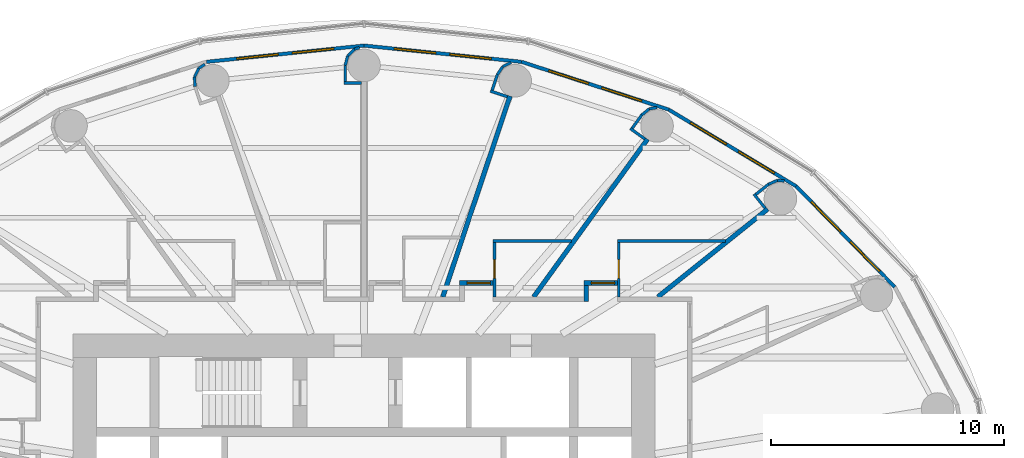
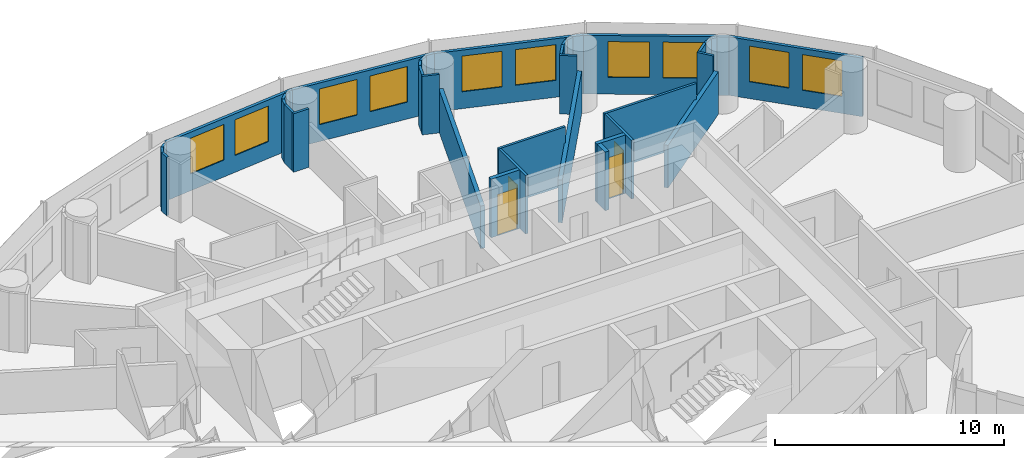
# One storey, part 12 of 14: 35 walls, 10 windows, 4 doors, 14 openings.
"""IFC4 building model written with IfcOpenShell, lengths in metres."""

from ifc_helpers import new_model, si_unit, direction, frame, frame_2d, origin, place, context, subcontext, project, spatial, rectangle, extrude, material, layer, layer_set, type_object, element, fill, save


model = new_model("IFC4")

# Units and contexts
model_context = context("Model", 3, precision=1e-05, world=origin(), true_north=direction((0.0, 1.0)))
body_context = subcontext(model_context, "Body", "Model", "MODEL_VIEW")
ifc_project = project(units=[si_unit("LENGTHUNIT", "METRE"), si_unit("AREAUNIT", "SQUARE_METRE"), si_unit("VOLUMEUNIT", "CUBIC_METRE"), si_unit("PLANEANGLEUNIT", "RADIAN"), si_unit("MASSUNIT", "GRAM", prefix="KILO")], contexts=[model_context])

# Site, building, storey
site_placement = place(None, origin())
site = spatial("IfcSite", under=ifc_project, at=site_placement, CompositionType="ELEMENT")
building_placement = place(site_placement, origin())
building = spatial("IfcBuilding", under=site, at=building_placement, Name="Hankou Lantern Tower", CompositionType="ELEMENT")
storey_placement = place(building_placement, frame((0.0, 0.0, 87.0)))
storey = spatial("IfcBuildingStorey", under=building, at=storey_placement, Name="L22", CompositionType="ELEMENT", Elevation=87.0)

# Wall, openings, windows
ifc_material_1 = material(Name="Aluminium spandrel panel on steel studs", Category="steel")
ifc_layer_1 = layer(ifc_material_1, 0.14990234375)
ifc_layer_set_1 = layer_set([ifc_layer_1], Name="Aluminium spandrel panel on steel studs")
wall_type_1 = type_object("IfcWallType", Name="EW1 INNER SKIN WALL 150", PredefinedType="ELEMENTEDWALL", material=ifc_layer_set_1)
wall_1_placement = place(storey_placement, frame((22.802734375, 10.5322265625, 0.0), z_axis=(0.0, 0.0, 1.0), x_axis=(-0.699602905915, 0.714531856557, 0.0)))
wall_1 = element("IfcWall", 1, at=wall_1_placement, inside=storey, type_object=wall_type_1, Name="Inner skin R03-R04 L22", PredefinedType="ELEMENTEDWALL", context=body_context, shape_type="SweptSolid", body=[
    extrude(rectangle(XDim=6.05078125, YDim=0.14990234375, at=frame_2d((3.025390625, 0.0))), origin(), (0.0, 0.0, 1.0), 3.1201171875),
])
opening_1_placement = place(wall_1_placement, frame((0.925537109375, 0.0, 0.89990234375)))
opening_1 = element("IfcOpeningElement", 2, at=opening_1_placement, cuts=wall_1, Name="Opening W1", PredefinedType="OPENING", context=body_context, shape_type="SweptSolid", body=[
    extrude(rectangle(XDim=1.800048828125, YDim=1.89990234375, at=frame_2d((0.89990234375, 0.949951171875))), frame((0.0, 0.0849609375, 0.0), z_axis=(0.0, -1.0, 0.0), x_axis=(1.0, 0.0, 0.0)), (0.0, 0.0, 1.0), 0.169921875),
])
opening_2_placement = place(wall_1_placement, frame((3.325439453125, 0.0, 0.89990234375)))
opening_2 = element("IfcOpeningElement", 3, at=opening_2_placement, cuts=wall_1, Name="Opening W1", PredefinedType="OPENING", context=body_context, shape_type="SweptSolid", body=[
    extrude(rectangle(XDim=1.800048828125, YDim=1.89990234375, at=frame_2d((0.89990234375, 0.949951171875))), frame((0.0, 0.0849609375, 0.0), z_axis=(0.0, -1.0, 0.0), x_axis=(1.0, 0.0, 0.0)), (0.0, 0.0, 1.0), 0.169921875),
])
ifc_material_2 = material(Name="Aluminium framed double glazed window", Category="aluminium")
window_type = type_object("IfcWindowType", Name="W1 GUEST ROOM WINDOW 1800X1900", PartitioningType="DOUBLE_PANEL_VERTICAL", PredefinedType="WINDOW", material=ifc_material_2)
window_1_placement = place(opening_1_placement, origin())
window_1 = element("IfcWindow", 4, at=window_1_placement, inside=storey, type_object=window_type, Name="Window R03.1 L22", OverallHeight=1.89990234375, OverallWidth=1.800048828125, PartitioningType="SINGLE_PANEL", PredefinedType="WINDOW", context=body_context, shape_type="SweptSolid", body=[
    extrude(rectangle(XDim=1.800048828125, YDim=1.89990234375, at=frame_2d((0.89990234375, 0.949951171875))), frame((0.0, 0.030029296875, 0.0), z_axis=(0.0, -1.0, 0.0), x_axis=(1.0, 0.0, 0.0)), (0.0, 0.0, 1.0), 0.06005859375),
])
fill(opening_1, window_1)
window_2_placement = place(opening_2_placement, origin())
window_2 = element("IfcWindow", 5, at=window_2_placement, inside=storey, type_object=window_type, Name="Window R03.2 L22", OverallHeight=1.89990234375, OverallWidth=1.800048828125, PartitioningType="SINGLE_PANEL", PredefinedType="WINDOW", context=body_context, shape_type="SweptSolid", body=[
    extrude(rectangle(XDim=1.800048828125, YDim=1.89990234375, at=frame_2d((0.89990234375, 0.949951171875))), frame((0.0, 0.030029296875, 0.0), z_axis=(0.0, -1.0, 0.0), x_axis=(1.0, 0.0, 0.0)), (0.0, 0.0, 1.0), 0.06005859375),
])
fill(opening_2, window_2)

wall_2_placement = place(storey_placement, frame((18.569580078125, 14.855712890625, 0.0), z_axis=(0.0, 0.0, 1.0), x_axis=(-0.856983180864, 0.515344377787, 0.0)))
wall_2 = element("IfcWall", 6, at=wall_2_placement, inside=storey, type_object=wall_type_1, Name="Inner skin R04-R05 L22", PredefinedType="ELEMENTEDWALL", context=body_context, shape_type="SweptSolid", body=[
    extrude(rectangle(XDim=6.386474609375, YDim=0.14990234375, at=frame_2d((3.193359375, 0.0))), origin(), (0.0, 0.0, 1.0), 3.1201171875),
])
opening_3_placement = place(wall_2_placement, frame((1.09326171875, 0.0, 0.89990234375)))
opening_3 = element("IfcOpeningElement", 7, at=opening_3_placement, cuts=wall_2, Name="Opening W1", PredefinedType="OPENING", context=body_context, shape_type="SweptSolid", body=[
    extrude(rectangle(XDim=1.800048828125, YDim=1.89990234375, at=frame_2d((0.89990234375, 0.949951171875))), frame((0.0, 0.0849609375, 0.0), z_axis=(0.0, -1.0, 0.0), x_axis=(1.0, 0.0, 0.0)), (0.0, 0.0, 1.0), 0.169921875),
])
opening_4_placement = place(wall_2_placement, frame((3.4931640625, 0.0, 0.89990234375)))
opening_4 = element("IfcOpeningElement", 8, at=opening_4_placement, cuts=wall_2, Name="Opening W1", PredefinedType="OPENING", context=body_context, shape_type="SweptSolid", body=[
    extrude(rectangle(XDim=1.800048828125, YDim=1.89990234375, at=frame_2d((0.89990234375, 0.949951171875))), frame((0.0, 0.0849609375, 0.0), z_axis=(0.0, -1.0, 0.0), x_axis=(1.0, 0.0, 0.0)), (0.0, 0.0, 1.0), 0.169921875),
])
window_3_placement = place(opening_3_placement, origin())
window_3 = element("IfcWindow", 9, at=window_3_placement, inside=storey, type_object=window_type, Name="Window R04.1 L22", OverallHeight=1.89990234375, OverallWidth=1.800048828125, PartitioningType="SINGLE_PANEL", PredefinedType="WINDOW", context=body_context, shape_type="SweptSolid", body=[
    extrude(rectangle(XDim=1.800048828125, YDim=1.89990234375, at=frame_2d((0.89990234375, 0.949951171875))), frame((0.0, 0.030029296875, 0.0), z_axis=(0.0, -1.0, 0.0), x_axis=(1.0, 0.0, 0.0)), (0.0, 0.0, 1.0), 0.06005859375),
])
fill(opening_3, window_3)
window_4_placement = place(opening_4_placement, origin())
window_4 = element("IfcWindow", 10, at=window_4_placement, inside=storey, type_object=window_type, Name="Window R04.2 L22", OverallHeight=1.89990234375, OverallWidth=1.800048828125, PartitioningType="SINGLE_PANEL", PredefinedType="WINDOW", context=body_context, shape_type="SweptSolid", body=[
    extrude(rectangle(XDim=1.800048828125, YDim=1.89990234375, at=frame_2d((0.89990234375, 0.949951171875))), frame((0.0, 0.030029296875, 0.0), z_axis=(0.0, -1.0, 0.0), x_axis=(1.0, 0.0, 0.0)), (0.0, 0.0, 1.0), 0.06005859375),
])
fill(opening_4, window_4)

wall_3_placement = place(storey_placement, frame((13.096435546875, 18.14697265625, 0.0), z_axis=(0.0, 0.0, 1.0), x_axis=(-0.951137534625, 0.308767534285, 0.0)))
wall_3 = element("IfcWall", 11, at=wall_3_placement, inside=storey, type_object=wall_type_1, Name="Inner skin R05-R06 L22", PredefinedType="ELEMENTEDWALL", context=body_context, shape_type="SweptSolid", body=[
    extrude(rectangle(XDim=6.6552734375, YDim=0.14990234375, at=frame_2d((3.32763671875, 0.0))), origin(), (0.0, 0.0, 1.0), 3.1201171875),
])
opening_5_placement = place(wall_3_placement, frame((1.2275390625, 0.0, 0.89990234375)))
opening_5 = element("IfcOpeningElement", 12, at=opening_5_placement, cuts=wall_3, Name="Opening W1", PredefinedType="OPENING", context=body_context, shape_type="SweptSolid", body=[
    extrude(rectangle(XDim=1.800048828125, YDim=1.89990234375, at=frame_2d((0.89990234375, 0.949951171875))), frame((0.0, 0.0849609375, 0.0), z_axis=(0.0, -1.0, 0.0), x_axis=(1.0, 0.0, 0.0)), (0.0, 0.0, 1.0), 0.169921875),
])
opening_6_placement = place(wall_3_placement, frame((3.627685546875, 0.0, 0.89990234375)))
opening_6 = element("IfcOpeningElement", 13, at=opening_6_placement, cuts=wall_3, Name="Opening W1", PredefinedType="OPENING", context=body_context, shape_type="SweptSolid", body=[
    extrude(rectangle(XDim=1.800048828125, YDim=1.89990234375, at=frame_2d((0.89990234375, 0.949951171875))), frame((0.0, 0.0849609375, 0.0), z_axis=(0.0, -1.0, 0.0), x_axis=(1.0, 0.0, 0.0)), (0.0, 0.0, 1.0), 0.169921875),
])
window_5_placement = place(opening_5_placement, origin())
window_5 = element("IfcWindow", 14, at=window_5_placement, inside=storey, type_object=window_type, Name="Window R05.1 L22", OverallHeight=1.89990234375, OverallWidth=1.800048828125, PartitioningType="SINGLE_PANEL", PredefinedType="WINDOW", context=body_context, shape_type="SweptSolid", body=[
    extrude(rectangle(XDim=1.800048828125, YDim=1.89990234375, at=frame_2d((0.89990234375, 0.949951171875))), frame((0.0, 0.030029296875, 0.0), z_axis=(0.0, -1.0, 0.0), x_axis=(1.0, 0.0, 0.0)), (0.0, 0.0, 1.0), 0.06005859375),
])
fill(opening_5, window_5)
window_6_placement = place(opening_6_placement, origin())
window_6 = element("IfcWindow", 15, at=window_6_placement, inside=storey, type_object=window_type, Name="Window R05.2 L22", OverallHeight=1.89990234375, OverallWidth=1.800048828125, PartitioningType="SINGLE_PANEL", PredefinedType="WINDOW", context=body_context, shape_type="SweptSolid", body=[
    extrude(rectangle(XDim=1.800048828125, YDim=1.89990234375, at=frame_2d((0.89990234375, 0.949951171875))), frame((0.0, 0.030029296875, 0.0), z_axis=(0.0, -1.0, 0.0), x_axis=(1.0, 0.0, 0.0)), (0.0, 0.0, 1.0), 0.06005859375),
])
fill(opening_6, window_6)

wall_4_placement = place(storey_placement, frame((6.766357421875, 20.201904296875, 0.0), z_axis=(0.0, 0.0, 1.0), x_axis=(-0.994721394369, 0.102612609291, 0.0)))
wall_4 = element("IfcWall", 16, at=wall_4_placement, inside=storey, type_object=wall_type_1, Name="Inner skin R06-R07 L22", PredefinedType="ELEMENTEDWALL", context=body_context, shape_type="SweptSolid", body=[
    extrude(rectangle(XDim=6.80224609375, YDim=0.14990234375, at=frame_2d((3.401123046875, 0.0))), origin(), (0.0, 0.0, 1.0), 3.1201171875),
])
opening_7_placement = place(wall_4_placement, frame((1.301025390625, 0.0, 0.89990234375)))
opening_7 = element("IfcOpeningElement", 17, at=opening_7_placement, cuts=wall_4, Name="Opening W1", PredefinedType="OPENING", context=body_context, shape_type="SweptSolid", body=[
    extrude(rectangle(XDim=1.800048828125, YDim=1.89990234375, at=frame_2d((0.89990234375, 0.949951171875))), frame((0.0, 0.0849609375, 0.0), z_axis=(0.0, -1.0, 0.0), x_axis=(1.0, 0.0, 0.0)), (0.0, 0.0, 1.0), 0.169921875),
])
opening_8_placement = place(wall_4_placement, frame((3.701171875, 0.0, 0.89990234375)))
opening_8 = element("IfcOpeningElement", 18, at=opening_8_placement, cuts=wall_4, Name="Opening W1", PredefinedType="OPENING", context=body_context, shape_type="SweptSolid", body=[
    extrude(rectangle(XDim=1.800048828125, YDim=1.89990234375, at=frame_2d((0.89990234375, 0.949951171875))), frame((0.0, 0.0849609375, 0.0), z_axis=(0.0, -1.0, 0.0), x_axis=(1.0, 0.0, 0.0)), (0.0, 0.0, 1.0), 0.169921875),
])
window_7_placement = place(opening_7_placement, origin())
window_7 = element("IfcWindow", 19, at=window_7_placement, inside=storey, type_object=window_type, Name="Window R06.1 L22", OverallHeight=1.89990234375, OverallWidth=1.800048828125, PartitioningType="SINGLE_PANEL", PredefinedType="WINDOW", context=body_context, shape_type="SweptSolid", body=[
    extrude(rectangle(XDim=1.800048828125, YDim=1.89990234375, at=frame_2d((0.89990234375, 0.949951171875))), frame((0.0, 0.030029296875, 0.0), z_axis=(0.0, -1.0, 0.0), x_axis=(1.0, 0.0, 0.0)), (0.0, 0.0, 1.0), 0.06005859375),
])
fill(opening_7, window_7)
window_8_placement = place(opening_8_placement, origin())
window_8 = element("IfcWindow", 20, at=window_8_placement, inside=storey, type_object=window_type, Name="Window R06.2 L22", OverallHeight=1.89990234375, OverallWidth=1.800048828125, PartitioningType="SINGLE_PANEL", PredefinedType="WINDOW", context=body_context, shape_type="SweptSolid", body=[
    extrude(rectangle(XDim=1.800048828125, YDim=1.89990234375, at=frame_2d((0.89990234375, 0.949951171875))), frame((0.0, 0.030029296875, 0.0), z_axis=(0.0, -1.0, 0.0), x_axis=(1.0, 0.0, 0.0)), (0.0, 0.0, 1.0), 0.06005859375),
])
fill(opening_8, window_8)

wall_5_placement = place(storey_placement, frame((0.0, 20.89990234375, 0.0), z_axis=(0.0, 0.0, 1.0), x_axis=(-0.994721394369, -0.102612609291, 0.0)))
wall_5 = element("IfcWall", 21, at=wall_5_placement, inside=storey, type_object=wall_type_1, Name="Inner skin R07-R08 L22", PredefinedType="ELEMENTEDWALL", context=body_context, shape_type="SweptSolid", body=[
    extrude(rectangle(XDim=6.80224609375, YDim=0.14990234375, at=frame_2d((3.401123046875, 0.0))), origin(), (0.0, 0.0, 1.0), 3.1201171875),
])
opening_9_placement = place(wall_5_placement, frame((1.301025390625, 0.0, 0.89990234375)))
opening_9 = element("IfcOpeningElement", 22, at=opening_9_placement, cuts=wall_5, Name="Opening W1", PredefinedType="OPENING", context=body_context, shape_type="SweptSolid", body=[
    extrude(rectangle(XDim=1.800048828125, YDim=1.89990234375, at=frame_2d((0.89990234375, 0.949951171875))), frame((0.0, 0.0849609375, 0.0), z_axis=(0.0, -1.0, 0.0), x_axis=(1.0, 0.0, 0.0)), (0.0, 0.0, 1.0), 0.169921875),
])
opening_10_placement = place(wall_5_placement, frame((3.701171875, 0.0, 0.89990234375)))
opening_10 = element("IfcOpeningElement", 23, at=opening_10_placement, cuts=wall_5, Name="Opening W1", PredefinedType="OPENING", context=body_context, shape_type="SweptSolid", body=[
    extrude(rectangle(XDim=1.800048828125, YDim=1.89990234375, at=frame_2d((0.89990234375, 0.949951171875))), frame((0.0, 0.0849609375, 0.0), z_axis=(0.0, -1.0, 0.0), x_axis=(1.0, 0.0, 0.0)), (0.0, 0.0, 1.0), 0.169921875),
])
window_9_placement = place(opening_9_placement, origin())
window_9 = element("IfcWindow", 24, at=window_9_placement, inside=storey, type_object=window_type, Name="Window R07.1 L22", OverallHeight=1.89990234375, OverallWidth=1.800048828125, PartitioningType="SINGLE_PANEL", PredefinedType="WINDOW", context=body_context, shape_type="SweptSolid", body=[
    extrude(rectangle(XDim=1.800048828125, YDim=1.89990234375, at=frame_2d((0.89990234375, 0.949951171875))), frame((0.0, 0.030029296875, 0.0), z_axis=(0.0, -1.0, 0.0), x_axis=(1.0, 0.0, 0.0)), (0.0, 0.0, 1.0), 0.06005859375),
])
fill(opening_9, window_9)
window_10_placement = place(opening_10_placement, origin())
window_10 = element("IfcWindow", 25, at=window_10_placement, inside=storey, type_object=window_type, Name="Window R07.2 L22", OverallHeight=1.89990234375, OverallWidth=1.800048828125, PartitioningType="SINGLE_PANEL", PredefinedType="WINDOW", context=body_context, shape_type="SweptSolid", body=[
    extrude(rectangle(XDim=1.800048828125, YDim=1.89990234375, at=frame_2d((0.89990234375, 0.949951171875))), frame((0.0, 0.030029296875, 0.0), z_axis=(0.0, -1.0, 0.0), x_axis=(1.0, 0.0, 0.0)), (0.0, 0.0, 1.0), 0.06005859375),
])
fill(opening_10, window_10)

# Walls
ifc_material_3 = material(Name="Masonry lightweight concrete block", Category="masonry")
ifc_layer_2 = layer(ifc_material_3, 0.199951171875)
ifc_layer_set_2 = layer_set([ifc_layer_2], Name="Masonry lightweight concrete block")
wall_type_2 = type_object("IfcWallType", Name="IW1 GUEST ROOM PARTY WALL 200", PredefinedType="PARTITIONING", material=ifc_layer_set_2)
wall_6_placement = place(storey_placement, frame((12.625, 10.10009765625, 0.0), z_axis=(0.0, 0.0, 1.0), x_axis=(0.780892451574, 0.624665493744, 0.0)))
element("IfcWall", 26, at=wall_6_placement, inside=storey, type_object=wall_type_2, Name="Party wall R04", PredefinedType="PARTITIONING", context=body_context, shape_type="SweptSolid", body=[
    extrude(rectangle(XDim=6.044677734375, YDim=0.199951171875, at=frame_2d((3.0224609375, 0.0))), origin(), (0.0, 0.0, 1.0), 2.27001953125),
])
wall_7_placement = place(storey_placement, frame((7.2890625, 10.10009765625, 0.0), z_axis=(0.0, 0.0, 1.0), x_axis=(0.585198353053, 0.810890182197, 0.0)))
element("IfcWall", 27, at=wall_7_placement, inside=storey, type_object=wall_type_2, Name="Party wall R05", PredefinedType="PARTITIONING", context=body_context, shape_type="SweptSolid", body=[
    extrude(rectangle(XDim=8.359619140625, YDim=0.199951171875, at=frame_2d((4.1796875, 0.0))), origin(), (0.0, 0.0, 1.0), 2.27001953125),
])
wall_8_placement = place(storey_placement, frame((3.3828125, 10.10009765625, 0.0), z_axis=(0.0, 0.0, 1.0), x_axis=(0.31759592231, 0.948226149256, 0.0)))
element("IfcWall", 28, at=wall_8_placement, inside=storey, type_object=wall_type_2, Name="Party wall R06", PredefinedType="PARTITIONING", context=body_context, shape_type="SweptSolid", body=[
    extrude(rectangle(XDim=9.098388671875, YDim=0.199951171875, at=frame_2d((4.54931640625, 0.0))), origin(), (0.0, 0.0, 1.0), 2.27001953125),
])

# Wall, opening, door
ifc_material_4 = material(Name="Masonry lightweight concrete block", Category="masonry")
ifc_layer_3 = layer(ifc_material_4, 0.199951171875)
ifc_layer_set_3 = layer_set([ifc_layer_3], Name="Masonry lightweight concrete block")
wall_type_3 = type_object("IfcWallType", Name="IW2 CORRIDOR WALL 200", PredefinedType="PARTITIONING", material=ifc_layer_set_3)
wall_9_placement = place(storey_placement, frame((9.445068359375, 10.699951171875, 0.0), z_axis=(0.0, 0.0, 1.0), x_axis=(1.0, 0.0, 0.0)))
wall_9 = element("IfcWall", 29, at=wall_9_placement, inside=storey, type_object=wall_type_3, Name="Corridor recess wall 2210 back", PredefinedType="PARTITIONING", context=body_context, shape_type="SweptSolid", body=[
    extrude(rectangle(XDim=1.43994140625, YDim=0.199951171875, at=frame_2d((0.719970703125, 0.0))), origin(), (0.0, 0.0, 1.0), 3.1201171875),
])
opening_11_placement = place(wall_9_placement, frame((0.320068359375, 0.0, 0.0)))
opening_11 = element("IfcOpeningElement", 30, at=opening_11_placement, cuts=wall_9, Name="Opening D1", PredefinedType="OPENING", context=body_context, shape_type="SweptSolid", body=[
    extrude(rectangle(XDim=1.0, YDim=2.199951171875, at=frame_2d((0.5, 1.10009765625))), frame((0.0, 0.10986328125, 0.0), z_axis=(0.0, -1.0, 0.0), x_axis=(1.0, 0.0, 0.0)), (0.0, 0.0, 1.0), 0.219970703125),
])
ifc_material_5 = material(Name="Steel door leaf", Category="steel")
door_type_1 = type_object("IfcDoorType", Name="D1 GUEST ROOM DOOR 1000X2200", OperationType="SINGLE_SWING_LEFT", PredefinedType="DOOR", material=ifc_material_5)
door_1_placement = place(opening_11_placement, origin())
door_1 = element("IfcDoor", 31, at=door_1_placement, inside=storey, type_object=door_type_1, Name="Guest room door 2210", OperationType="SINGLE_SWING_RIGHT", OverallHeight=2.199951171875, OverallWidth=1.0, PredefinedType="DOOR", context=body_context, shape_type="SweptSolid", body=[
    extrude(rectangle(XDim=1.0, YDim=2.199951171875, at=frame_2d((0.5, 1.10009765625))), frame((0.0, 0.02490234375, 0.0), z_axis=(0.0, -1.0, 0.0), x_axis=(1.0, 0.0, 0.0)), (0.0, 0.0, 1.0), 0.050048828125),
])
fill(opening_11, door_1)

# Wall
wall_10_placement = place(storey_placement, frame((9.544921875, 9.89990234375, 0.0), z_axis=(0.0, 0.0, 1.0), x_axis=(0.0, 1.0, 0.0)))
element("IfcWall", 32, at=wall_10_placement, inside=storey, type_object=wall_type_3, Name="Corridor recess wall 2210 side", PredefinedType="PARTITIONING", context=body_context, shape_type="SweptSolid", body=[
    extrude(rectangle(XDim=0.7001953125, YDim=0.199951171875, at=frame_2d((0.35009765625, 0.0))), origin(), (0.0, 0.0, 1.0), 3.1201171875),
])

# Wall, opening, door
wall_11_placement = place(storey_placement, frame((4.109130859375, 10.699951171875, 0.0), z_axis=(0.0, 0.0, 1.0), x_axis=(1.0, 0.0, 0.0)))
wall_11 = element("IfcWall", 33, at=wall_11_placement, inside=storey, type_object=wall_type_3, Name="Corridor recess wall 2211 back", PredefinedType="PARTITIONING", context=body_context, shape_type="SweptSolid", body=[
    extrude(rectangle(XDim=1.43994140625, YDim=0.199951171875, at=frame_2d((0.719970703125, 0.0))), origin(), (0.0, 0.0, 1.0), 3.1201171875),
])
opening_12_placement = place(wall_11_placement, frame((0.320068359375, 0.0, 0.0)))
opening_12 = element("IfcOpeningElement", 34, at=opening_12_placement, cuts=wall_11, Name="Opening D1", PredefinedType="OPENING", context=body_context, shape_type="SweptSolid", body=[
    extrude(rectangle(XDim=1.0, YDim=2.199951171875, at=frame_2d((0.5, 1.10009765625))), frame((0.0, 0.10986328125, 0.0), z_axis=(0.0, -1.0, 0.0), x_axis=(1.0, 0.0, 0.0)), (0.0, 0.0, 1.0), 0.219970703125),
])
door_2_placement = place(opening_12_placement, origin())
door_2 = element("IfcDoor", 35, at=door_2_placement, inside=storey, type_object=door_type_1, Name="Guest room door 2211", OperationType="SINGLE_SWING_RIGHT", OverallHeight=2.199951171875, OverallWidth=1.0, PredefinedType="DOOR", context=body_context, shape_type="SweptSolid", body=[
    extrude(rectangle(XDim=1.0, YDim=2.199951171875, at=frame_2d((0.5, 1.10009765625))), frame((0.0, 0.02490234375, 0.0), z_axis=(0.0, -1.0, 0.0), x_axis=(1.0, 0.0, 0.0)), (0.0, 0.0, 1.0), 0.050048828125),
])
fill(opening_12, door_2)

# Wall
ifc_material_6 = material(Name="Masonry lightweight concrete block", Category="masonry")
ifc_layer_4 = layer(ifc_material_6, 0.1201171875)
ifc_layer_set_4 = layer_set([ifc_layer_4], Name="Masonry lightweight concrete block")
wall_type_4 = type_object("IfcWallType", Name="IW3 BATHROOM WALL 120", PredefinedType="PARTITIONING", material=ifc_layer_set_4)
wall_12_placement = place(storey_placement, frame((15.52490234375, 12.5, 0.0), z_axis=(0.0, 0.0, 1.0), x_axis=(-1.0, 0.0, 0.0)))
element("IfcWall", 36, at=wall_12_placement, inside=storey, type_object=wall_type_4, Name="Box wall 2210 1", PredefinedType="PARTITIONING", context=body_context, shape_type="SweptSolid", body=[
    extrude(rectangle(XDim=4.639892578125, YDim=0.1201171875, at=frame_2d((2.31982421875, 0.0))), origin(), (0.0, 0.0, 1.0), 3.1201171875),
])

# Wall, opening, door
wall_13_placement = place(storey_placement, frame((10.945068359375, 10.10009765625, 0.0), z_axis=(0.0, 0.0, 1.0), x_axis=(0.0, 1.0, 0.0)))
wall_13 = element("IfcWall", 37, at=wall_13_placement, inside=storey, type_object=wall_type_4, Name="Box wall 2210 1", PredefinedType="PARTITIONING", context=body_context, shape_type="SweptSolid", body=[
    extrude(rectangle(XDim=2.33984375, YDim=0.1201171875, at=frame_2d((1.169921875, 0.0))), origin(), (0.0, 0.0, 1.0), 3.1201171875),
])
opening_13_placement = place(wall_13_placement, frame((0.800048828125, 0.0, 0.0)))
opening_13 = element("IfcOpeningElement", 38, at=opening_13_placement, cuts=wall_13, Name="Opening D3", PredefinedType="OPENING", context=body_context, shape_type="SweptSolid", body=[
    extrude(rectangle(XDim=0.800048828125, YDim=2.10009765625, at=frame_2d((0.39990234375, 1.050048828125))), frame((0.0, 0.070068359375, 0.0), z_axis=(0.0, -1.0, 0.0), x_axis=(1.0, 0.0, 0.0)), (0.0, 0.0, 1.0), 0.14013671875),
])
ifc_material_7 = material(Name="Timber door leaf", Category="wood")
door_type_2 = type_object("IfcDoorType", Name="D3 BATHROOM DOOR 800X2100", OperationType="SINGLE_SWING_LEFT", PredefinedType="DOOR", material=ifc_material_7)
door_3_placement = place(opening_13_placement, origin())
door_3 = element("IfcDoor", 39, at=door_3_placement, inside=storey, type_object=door_type_2, Name="En-suite bathroom 2210 door", OperationType="SINGLE_SWING_LEFT", OverallHeight=2.10009765625, OverallWidth=0.800048828125, PredefinedType="DOOR", context=body_context, shape_type="SweptSolid", body=[
    extrude(rectangle(XDim=0.800048828125, YDim=2.10009765625, at=frame_2d((0.39990234375, 1.050048828125))), frame((0.0, 0.02490234375, 0.0), z_axis=(0.0, -1.0, 0.0), x_axis=(1.0, 0.0, 0.0)), (0.0, 0.0, 1.0), 0.050048828125),
])
fill(opening_13, door_3)

# Wall
wall_14_placement = place(storey_placement, frame((8.921142578125, 12.5, 0.0), z_axis=(0.0, 0.0, 1.0), x_axis=(-1.0, 0.0, 0.0)))
element("IfcWall", 40, at=wall_14_placement, inside=storey, type_object=wall_type_4, Name="Box wall 2211 1", PredefinedType="PARTITIONING", context=body_context, shape_type="SweptSolid", body=[
    extrude(rectangle(XDim=3.3720703125, YDim=0.1201171875, at=frame_2d((1.68603515625, 0.0))), origin(), (0.0, 0.0, 1.0), 3.1201171875),
])

# Wall, opening, door
wall_15_placement = place(storey_placement, frame((5.609130859375, 10.10009765625, 0.0), z_axis=(0.0, 0.0, 1.0), x_axis=(0.0, 1.0, 0.0)))
wall_15 = element("IfcWall", 41, at=wall_15_placement, inside=storey, type_object=wall_type_4, Name="Box wall 2211 1", PredefinedType="PARTITIONING", context=body_context, shape_type="SweptSolid", body=[
    extrude(rectangle(XDim=2.33984375, YDim=0.1201171875, at=frame_2d((1.169921875, 0.0))), origin(), (0.0, 0.0, 1.0), 3.1201171875),
])
opening_14_placement = place(wall_15_placement, frame((0.800048828125, 0.0, 0.0)))
opening_14 = element("IfcOpeningElement", 42, at=opening_14_placement, cuts=wall_15, Name="Opening D3", PredefinedType="OPENING", context=body_context, shape_type="SweptSolid", body=[
    extrude(rectangle(XDim=0.800048828125, YDim=2.10009765625, at=frame_2d((0.39990234375, 1.050048828125))), frame((0.0, 0.070068359375, 0.0), z_axis=(0.0, -1.0, 0.0), x_axis=(1.0, 0.0, 0.0)), (0.0, 0.0, 1.0), 0.14013671875),
])
door_4_placement = place(opening_14_placement, origin())
door_4 = element("IfcDoor", 43, at=door_4_placement, inside=storey, type_object=door_type_2, Name="En-suite bathroom 2211 door", OperationType="SINGLE_SWING_LEFT", OverallHeight=2.10009765625, OverallWidth=0.800048828125, PredefinedType="DOOR", context=body_context, shape_type="SweptSolid", body=[
    extrude(rectangle(XDim=0.800048828125, YDim=2.10009765625, at=frame_2d((0.39990234375, 1.050048828125))), frame((0.0, 0.02490234375, 0.0), z_axis=(0.0, -1.0, 0.0), x_axis=(1.0, 0.0, 0.0)), (0.0, 0.0, 1.0), 0.050048828125),
])
fill(opening_14, door_4)

# Walls
ifc_material_8 = material(Name="Masonry lightweight concrete block", Category="masonry")
ifc_layer_5 = layer(ifc_material_8, 0.1201171875)
ifc_layer_set_5 = layer_set([ifc_layer_5], Name="Masonry lightweight concrete block")
wall_type_5 = type_object("IfcWallType", Name="IW4 PARTITION 120", PredefinedType="PARTITIONING", material=ifc_layer_set_5)
wall_16_placement = place(storey_placement, frame((17.23583984375, 13.916748046875, 0.0), z_axis=(0.0, 0.0, 1.0), x_axis=(-0.624695047554, 0.780868809443, 0.0)))
element("IfcWall", 44, at=wall_16_placement, inside=storey, type_object=wall_type_5, Name="Column casing R04 return", PredefinedType="PARTITIONING", context=body_context, shape_type="SweptSolid", body=[
    extrude(rectangle(XDim=0.767578125, YDim=0.1201171875, at=frame_2d((0.3837890625, 0.0))), origin(), (0.0, 0.0, 1.0), 3.1201171875),
])
wall_17_placement = place(storey_placement, frame((16.840576171875, 14.506591796875, 0.0), z_axis=(0.0, 0.0, 1.0), x_axis=(0.780902834923, 0.62465251333, 0.0)))
element("IfcWall", 45, at=wall_17_placement, inside=storey, type_object=wall_type_5, Name="Column casing R04", PredefinedType="PARTITIONING", context=body_context, shape_type="SweptSolid", body=[
    extrude(rectangle(XDim=0.699951171875, YDim=0.1201171875, at=frame_2d((0.35009765625, 0.0))), origin(), (0.0, 0.0, 1.0), 3.1201171875),
])
wall_18_placement = place(storey_placement, frame((17.38720703125, 14.94384765625, 0.0), z_axis=(0.0, 0.0, 1.0), x_axis=(0.916036698064, 0.401094462441, 0.0)))
element("IfcWall", 46, at=wall_18_placement, inside=storey, type_object=wall_type_5, Name="Column casing R04", PredefinedType="PARTITIONING", context=body_context, shape_type="SweptSolid", body=[
    extrude(rectangle(XDim=0.418212890625, YDim=0.1201171875, at=frame_2d((0.208984375, 0.0))), origin(), (0.0, 0.0, 1.0), 3.1201171875),
])
wall_19_placement = place(storey_placement, frame((17.770263671875, 15.111572265625, 0.0), z_axis=(0.0, 0.0, 1.0), x_axis=(0.993904401174, -0.110245368731, 0.0)))
element("IfcWall", 47, at=wall_19_placement, inside=storey, type_object=wall_type_5, Name="Column casing R04", PredefinedType="PARTITIONING", context=body_context, shape_type="SweptSolid", body=[
    extrude(rectangle(XDim=0.287841796875, YDim=0.1201171875, at=frame_2d((0.14404296875, 0.0))), origin(), (0.0, 0.0, 1.0), 3.1201171875),
])
wall_20_placement = place(storey_placement, frame((12.06494140625, 16.888671875, 0.0), z_axis=(0.0, 0.0, 1.0), x_axis=(-0.810821798253, 0.585293098778, 0.0)))
element("IfcWall", 48, at=wall_20_placement, inside=storey, type_object=wall_type_5, Name="Column casing R05 return", PredefinedType="PARTITIONING", context=body_context, shape_type="SweptSolid", body=[
    extrude(rectangle(XDim=0.767578125, YDim=0.1201171875, at=frame_2d((0.3837890625, 0.0))), origin(), (0.0, 0.0, 1.0), 3.1201171875),
])
wall_21_placement = place(storey_placement, frame((11.5263671875, 17.351318359375, 0.0), z_axis=(0.0, 0.0, 1.0), x_axis=(0.585223113993, 0.810872312296, 0.0)))
element("IfcWall", 49, at=wall_21_placement, inside=storey, type_object=wall_type_5, Name="Column casing R05", PredefinedType="PARTITIONING", context=body_context, shape_type="SweptSolid", body=[
    extrude(rectangle(XDim=0.699951171875, YDim=0.1201171875, at=frame_2d((0.35009765625, 0.0))), origin(), (0.0, 0.0, 1.0), 3.1201171875),
])
wall_22_placement = place(storey_placement, frame((11.93603515625, 17.9189453125, 0.0), z_axis=(0.0, 0.0, 1.0), x_axis=(0.775023088441, 0.631932917629, 0.0)))
element("IfcWall", 50, at=wall_22_placement, inside=storey, type_object=wall_type_5, Name="Column casing R05", PredefinedType="PARTITIONING", context=body_context, shape_type="SweptSolid", body=[
    extrude(rectangle(XDim=0.41796875, YDim=0.1201171875, at=frame_2d((0.208984375, 0.0))), origin(), (0.0, 0.0, 1.0), 3.1201171875),
])
wall_23_placement = place(storey_placement, frame((12.260009765625, 18.18310546875, 0.0), z_axis=(0.0, 0.0, 1.0), x_axis=(0.987218661664, 0.159371622511, 0.0)))
element("IfcWall", 51, at=wall_23_placement, inside=storey, type_object=wall_type_5, Name="Column casing R05", PredefinedType="PARTITIONING", context=body_context, shape_type="SweptSolid", body=[
    extrude(rectangle(XDim=0.330810546875, YDim=0.1201171875, at=frame_2d((0.16552734375, 0.0))), origin(), (0.0, 0.0, 1.0), 3.1201171875),
])
wall_24_placement = place(storey_placement, frame((6.15869140625, 18.702392578125, 0.0), z_axis=(0.0, 0.0, 1.0), x_axis=(-0.948173154049, 0.31775410295, 0.0)))
element("IfcWall", 52, at=wall_24_placement, inside=storey, type_object=wall_type_5, Name="Column casing R06 return", PredefinedType="PARTITIONING", context=body_context, shape_type="SweptSolid", body=[
    extrude(rectangle(XDim=0.767578125, YDim=0.1201171875, at=frame_2d((0.3837890625, 0.0))), origin(), (0.0, 0.0, 1.0), 3.1201171875),
])
wall_25_placement = place(storey_placement, frame((5.5068359375, 18.984130859375, 0.0), z_axis=(0.0, 0.0, 1.0), x_axis=(0.317692050622, 0.948193946918, 0.0)))
element("IfcWall", 53, at=wall_25_placement, inside=storey, type_object=wall_type_5, Name="Column casing R06", PredefinedType="PARTITIONING", context=body_context, shape_type="SweptSolid", body=[
    extrude(rectangle(XDim=0.7001953125, YDim=0.1201171875, at=frame_2d((0.35009765625, 0.0))), origin(), (0.0, 0.0, 1.0), 3.1201171875),
])
wall_26_placement = place(storey_placement, frame((5.729248046875, 19.64794921875, 0.0), z_axis=(0.0, 0.0, 1.0), x_axis=(0.552135764955, 0.833754218615, 0.0)))
element("IfcWall", 54, at=wall_26_placement, inside=storey, type_object=wall_type_5, Name="Column casing R06", PredefinedType="PARTITIONING", context=body_context, shape_type="SweptSolid", body=[
    extrude(rectangle(XDim=0.41796875, YDim=0.1201171875, at=frame_2d((0.208984375, 0.0))), origin(), (0.0, 0.0, 1.0), 3.1201171875),
])
wall_27_placement = place(storey_placement, frame((5.9599609375, 19.996337890625, 0.0), z_axis=(0.0, 0.0, 1.0), x_axis=(0.895160725913, 0.445743507842, 0.0)))
element("IfcWall", 55, at=wall_27_placement, inside=storey, type_object=wall_type_5, Name="Column casing R06", PredefinedType="PARTITIONING", context=body_context, shape_type="SweptSolid", body=[
    extrude(rectangle(XDim=0.398681640625, YDim=0.1201171875, at=frame_2d((0.19921875, 0.0))), origin(), (0.0, 0.0, 1.0), 3.1201171875),
])
wall_28_placement = place(storey_placement, frame((-0.10009765625, 19.2900390625, 0.0), z_axis=(0.0, 0.0, 1.0), x_axis=(-1.0, 0.0, 0.0)))
element("IfcWall", 56, at=wall_28_placement, inside=storey, type_object=wall_type_5, Name="Column casing R07 return", PredefinedType="PARTITIONING", context=body_context, shape_type="SweptSolid", body=[
    extrude(rectangle(XDim=0.767333984375, YDim=0.1201171875, at=frame_2d((0.3837890625, 0.0))), origin(), (0.0, 0.0, 1.0), 3.1201171875),
])
wall_29_placement = place(storey_placement, frame((-0.8076171875, 19.35009765625, 0.0), z_axis=(0.0, 0.0, 1.0), x_axis=(0.0, 1.0, 0.0)))
element("IfcWall", 57, at=wall_29_placement, inside=storey, type_object=wall_type_5, Name="Column casing R07", PredefinedType="PARTITIONING", context=body_context, shape_type="SweptSolid", body=[
    extrude(rectangle(XDim=0.699951171875, YDim=0.1201171875, at=frame_2d((0.35009765625, 0.0))), origin(), (0.0, 0.0, 1.0), 3.1201171875),
])
wall_30_placement = place(storey_placement, frame((-0.8076171875, 20.050048828125, 0.0), z_axis=(0.0, 0.0, 1.0), x_axis=(0.2592614205, 0.965807183573, 0.0)))
element("IfcWall", 58, at=wall_30_placement, inside=storey, type_object=wall_type_5, Name="Column casing R07", PredefinedType="PARTITIONING", context=body_context, shape_type="SweptSolid", body=[
    extrude(rectangle(XDim=0.418212890625, YDim=0.1201171875, at=frame_2d((0.208984375, 0.0))), origin(), (0.0, 0.0, 1.0), 3.1201171875),
])
wall_31_placement = place(storey_placement, frame((-0.69921875, 20.453857421875, 0.0), z_axis=(0.0, 0.0, 1.0), x_axis=(0.707106781187, 0.707106781187, 0.0)))
element("IfcWall", 59, at=wall_31_placement, inside=storey, type_object=wall_type_5, Name="Column casing R07", PredefinedType="PARTITIONING", context=body_context, shape_type="SweptSolid", body=[
    extrude(rectangle(XDim=0.417724609375, YDim=0.1201171875, at=frame_2d((0.208984375, 0.0))), origin(), (0.0, 0.0, 1.0), 3.1201171875),
])
wall_32_placement = place(storey_placement, frame((-0.40380859375, 20.749267578125, 0.0), z_axis=(0.0, 0.0, 1.0), x_axis=(0.965759066438, 0.25944060128, 0.0)))
element("IfcWall", 60, at=wall_32_placement, inside=storey, type_object=wall_type_5, Name="Column casing R07", PredefinedType="PARTITIONING", context=body_context, shape_type="SweptSolid", body=[
    extrude(rectangle(XDim=0.213623046875, YDim=0.1201171875, at=frame_2d((0.10693359375, 0.0))), origin(), (0.0, 0.0, 1.0), 3.1201171875),
])
wall_33_placement = place(storey_placement, frame((-7.260498046875, 19.135009765625, 0.0), z_axis=(0.0, 0.0, 1.0), x_axis=(-0.0613238046, 0.99811792439, 0.0)))
element("IfcWall", 61, at=wall_33_placement, inside=storey, type_object=wall_type_5, Name="Column casing R08", PredefinedType="PARTITIONING", context=body_context, shape_type="SweptSolid", body=[
    extrude(rectangle(XDim=0.41796875, YDim=0.1201171875, at=frame_2d((0.208984375, 0.0))), origin(), (0.0, 0.0, 1.0), 3.1201171875),
])
wall_34_placement = place(storey_placement, frame((-7.2861328125, 19.55224609375, 0.0), z_axis=(0.0, 0.0, 1.0), x_axis=(0.445810757773, 0.89512723579, 0.0)))
element("IfcWall", 62, at=wall_34_placement, inside=storey, type_object=wall_type_5, Name="Column casing R08", PredefinedType="PARTITIONING", context=body_context, shape_type="SweptSolid", body=[
    extrude(rectangle(XDim=0.417724609375, YDim=0.1201171875, at=frame_2d((0.208984375, 0.0))), origin(), (0.0, 0.0, 1.0), 3.1201171875),
])
wall_35_placement = place(storey_placement, frame((-7.099853515625, 19.92626953125, 0.0), z_axis=(0.0, 0.0, 1.0), x_axis=(0.833488262509, 0.552537162787, 0.0)))
element("IfcWall", 63, at=wall_35_placement, inside=storey, type_object=wall_type_5, Name="Column casing R08", PredefinedType="PARTITIONING", context=body_context, shape_type="SweptSolid", body=[
    extrude(rectangle(XDim=0.312744140625, YDim=0.1201171875, at=frame_2d((0.15625, 0.0))), origin(), (0.0, 0.0, 1.0), 3.1201171875),
])

save(model, "model.ifc")
